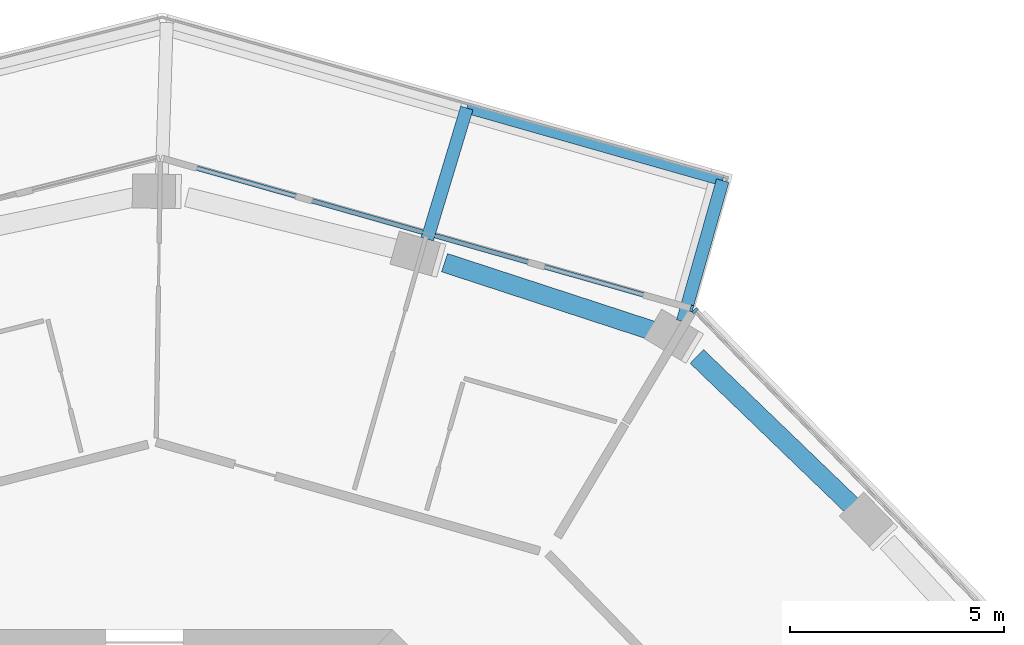
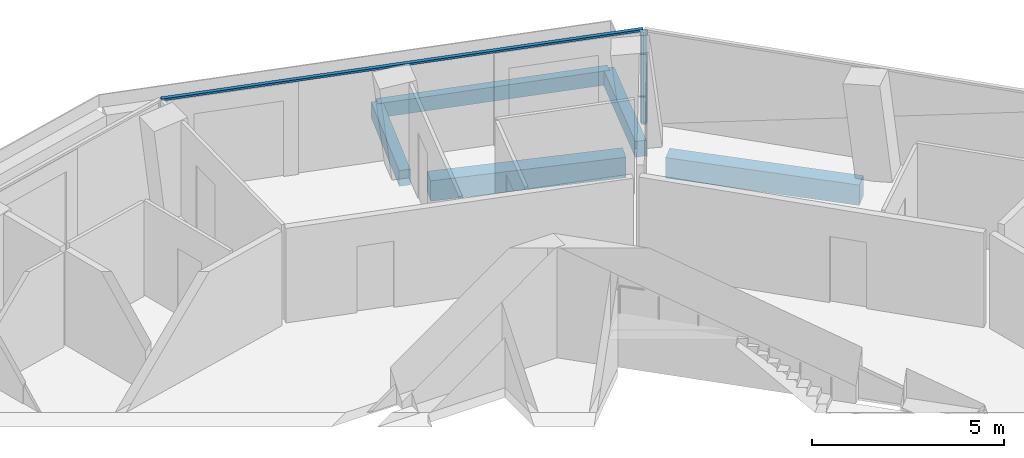
# One storey, part 10 of 24: 5 beams, 3 members, 2 elements without a shape of their own.
"""IFC4 building model written with IfcOpenShell, lengths in metres."""

from ifc_helpers import new_model, si_unit, direction, frame, origin, origin_2d, place, context, subcontext, project, spatial, rectangle, extrude, material, layer, layer_set, material_profile, profile_set, type_object, element, aggregate, save


model = new_model("IFC4")

# Units and contexts
model_context = context("Model", 3, precision=1e-05, world=origin(), true_north=direction((0.0, 1.0)))
body_context = subcontext(model_context, "Body", "Model", "MODEL_VIEW")
ifc_project = project(units=[si_unit("LENGTHUNIT", "METRE"), si_unit("AREAUNIT", "SQUARE_METRE"), si_unit("VOLUMEUNIT", "CUBIC_METRE"), si_unit("PLANEANGLEUNIT", "RADIAN"), si_unit("MASSUNIT", "GRAM", prefix="KILO")], contexts=[model_context])

# Site, building, storey
site_placement = place(None, origin())
site = spatial("IfcSite", under=ifc_project, at=site_placement, CompositionType="ELEMENT")
building_placement = place(site_placement, origin())
building = spatial("IfcBuilding", under=site, at=building_placement, Name="Verdalira Terraces Hotel", CompositionType="ELEMENT")
storey_placement = place(building_placement, frame((0.0, 0.0, 212.5)))
storey = spatial("IfcBuildingStorey", under=building, at=storey_placement, Name="L52", CompositionType="ELEMENT", Elevation=212.5)

# Beams
ifc_material_1 = material(Name="Concrete C40", Category="concrete")
ifc_material_profile_1 = material_profile(ifc_material_1, rectangle(XDim=0.300049, YDim=0.5, at=origin_2d()), Name="RC 300X500")
ifc_profile_set_1 = profile_set([ifc_material_profile_1], Name="Concrete C40")
beam_type_1 = type_object("IfcBeamType", Name="Balcony cantilever beam RC 300X500 C40", PredefinedType="BEAM", material=ifc_profile_set_1)
beam_1_placement = place(storey_placement, frame((12.578369, 21.206787, -0.560059), z_axis=(0.272921631, 0.962036269, 0.0), x_axis=(-0.962036269, 0.272921631, 0.0)))
element("IfcBeam", 1, at=beam_1_placement, inside=storey, type_object=beam_type_1, Name="Balcony cantilever beam R40-1", PredefinedType="BEAM", context=body_context, shape_type="SweptSolid", body=[
    extrude(rectangle(XDim=0.300049, YDim=0.5, at=origin_2d()), origin(), (0.0, 0.0, 1.0), 3.42334),
])
beam_2_placement = place(storey_placement, frame((6.606934, 23.133057, -0.560059), z_axis=(0.289005911, 0.957327313, 0.0), x_axis=(-0.957327313, 0.289005911, 0.0)))
element("IfcBeam", 2, at=beam_2_placement, inside=storey, type_object=beam_type_1, Name="Balcony cantilever beam R40-2", PredefinedType="BEAM", context=body_context, shape_type="SweptSolid", body=[
    extrude(rectangle(XDim=0.300049, YDim=0.5, at=origin_2d()), origin(), (0.0, 0.0, 1.0), 3.200684),
])
ifc_material_2 = material(Name="Concrete C40", Category="concrete")
ifc_material_profile_2 = material_profile(ifc_material_2, rectangle(XDim=0.25, YDim=0.449951, at=origin_2d()), Name="RC 250X450")
ifc_profile_set_2 = profile_set([ifc_material_profile_2], Name="Concrete C40")
beam_type_2 = type_object("IfcBeamType", Name="Balcony edge beam RC 250X450 C40", PredefinedType="BEAM", material=ifc_profile_set_2)
beam_3_placement = place(storey_placement, frame((13.512695, 24.500244, -0.534912), z_axis=(-0.962021767, 0.272972744, 0.0), x_axis=(-0.272972744, -0.962021767, 0.0)))
element("IfcBeam", 3, at=beam_3_placement, inside=storey, type_object=beam_type_2, Name="Balcony edge beam R40-1", PredefinedType="BEAM", context=body_context, shape_type="SweptSolid", body=[
    extrude(rectangle(XDim=0.25, YDim=0.449951, at=origin_2d()), origin(), (0.0, 0.0, 1.0), 6.216797),
])

# Curtain wall, member
ifc_material_3 = material(Name="Clear glass", Category="glass")
ifc_layer = layer(ifc_material_3, 0.14990234375)
ifc_layer_set = layer_set([ifc_layer], Name="CW1 curtain wall")
curtain_wall_type = type_object("IfcCurtainWallType", Name="CW1 curtain wall", PredefinedType="NOTDEFINED", material=ifc_layer_set)
curtain_wall_1_placement = place(storey_placement, origin())
curtain_wall_1 = element("IfcCurtainWall", 4, at=curtain_wall_1_placement, inside=storey, type_object=curtain_wall_type, Name="CW1 curtain wall L52 edge 39", PredefinedType="NOTDEFINED")
ifc_material_4 = material(Name="Terracotta frame", Category="masonry")
ifc_material_profile_3 = material_profile(ifc_material_4, rectangle(XDim=0.060059, YDim=0.149902, at=origin_2d()), Name="MU 60x150")
ifc_profile_set_3 = profile_set([ifc_material_profile_3], Name="Terracotta frame")
member_type_1 = type_object("IfcMemberType", Name="CW1 mullion 60x150", PredefinedType="MULLION", material=ifc_profile_set_3)
member_1_placement = place(storey_placement, frame((12.869629, 21.460449, 0.0), z_axis=(0.0, 0.0, 1.0), x_axis=(-0.696664435, 0.717397146, 0.0)))
member_1 = element("IfcMember", 5, at=member_1_placement, type_object=member_type_1, Name="CW1 mullion", PredefinedType="MULLION", context=body_context, shape_type="SweptSolid", body=[
    extrude(rectangle(XDim=0.060059, YDim=0.149902, at=origin_2d()), origin(), (0.0, 0.0, 1.0), 2.935059),
])
aggregate(curtain_wall_1, [member_1])

# Curtain wall, members
curtain_wall_2_placement = place(storey_placement, origin())
curtain_wall_2 = element("IfcCurtainWall", 6, at=curtain_wall_2_placement, inside=storey, type_object=curtain_wall_type, Name="CW1 curtain wall L52 edge 40", PredefinedType="NOTDEFINED")
member_2_placement = place(storey_placement, frame((12.786621, 21.51001, 0.0), z_axis=(0.0, 0.0, 1.0), x_axis=(-0.962027672, 0.272951936, 0.0)))
member_2 = element("IfcMember", 7, at=member_2_placement, type_object=member_type_1, Name="CW1 mullion", PredefinedType="MULLION", context=body_context, shape_type="SweptSolid", body=[
    extrude(rectangle(XDim=0.060059, YDim=0.149902, at=origin_2d()), origin(), (0.0, 0.0, 1.0), 2.935059),
])
ifc_material_5 = material(Name="Terracotta frame", Category="masonry")
ifc_material_profile_4 = material_profile(ifc_material_5, rectangle(XDim=0.110107, YDim=0.064941, at=origin_2d()), Name="TR 65x110")
ifc_profile_set_4 = profile_set([ifc_material_profile_4], Name="Terracotta frame")
member_type_2 = type_object("IfcMemberType", Name="CW1 transom 65x110", PredefinedType="USERDEFINED", material=ifc_profile_set_4)
member_3_placement = place(storey_placement, frame((12.81543, 21.501709, 2.967529), z_axis=(-0.96202365, 0.272966109, 0.0), x_axis=(-0.272966109, -0.96202365, 0.0)))
member_3 = element("IfcMember", 8, at=member_3_placement, type_object=member_type_2, Name="CW1 transom", ObjectType="TRANSOM", PredefinedType="USERDEFINED", context=body_context, shape_type="SweptSolid", body=[
    extrude(rectangle(XDim=0.110107, YDim=0.064941, at=origin_2d()), origin(), (0.0, 0.0, 1.0), 12.919678),
])
aggregate(curtain_wall_2, [member_2, member_3])

# Beams
ifc_material_6 = material(Name="Concrete C50", Category="concrete")
ifc_material_profile_5 = material_profile(ifc_material_6, rectangle(XDim=0.449951, YDim=0.649902, at=origin_2d()), Name="RC 450X650")
ifc_profile_set_5 = profile_set([ifc_material_profile_5], Name="Concrete C50")
beam_type_3 = type_object("IfcBeamType", Name="Spandrel beam RC 450X650 C50", PredefinedType="SPANDREL", material=ifc_profile_set_5)
beam_4_placement = place(storey_placement, frame((16.647949, 16.790283, -0.63501), z_axis=(-0.720364612, 0.693595577, 0.0), x_axis=(-0.693595577, -0.720364612, 0.0)))
element("IfcBeam", 9, at=beam_4_placement, inside=storey, type_object=beam_type_3, Name="Spandrel beam B19", PredefinedType="SPANDREL", context=body_context, shape_type="SweptSolid", body=[
    extrude(rectangle(XDim=0.449951, YDim=0.649902, at=origin_2d()), origin(), (0.0, 0.0, 1.0), 5.189453),
])
beam_5_placement = place(storey_placement, frame((11.945312, 20.967285, -0.63501), z_axis=(-0.950441094, 0.310904691, 0.0), x_axis=(-0.310904691, -0.950441094, 0.0)))
element("IfcBeam", 10, at=beam_5_placement, inside=storey, type_object=beam_type_3, Name="Spandrel beam B20", PredefinedType="SPANDREL", context=body_context, shape_type="SweptSolid", body=[
    extrude(rectangle(XDim=0.449951, YDim=0.649902, at=origin_2d()), origin(), (0.0, 0.0, 1.0), 5.192139),
])

save(model, "model.ifc")
